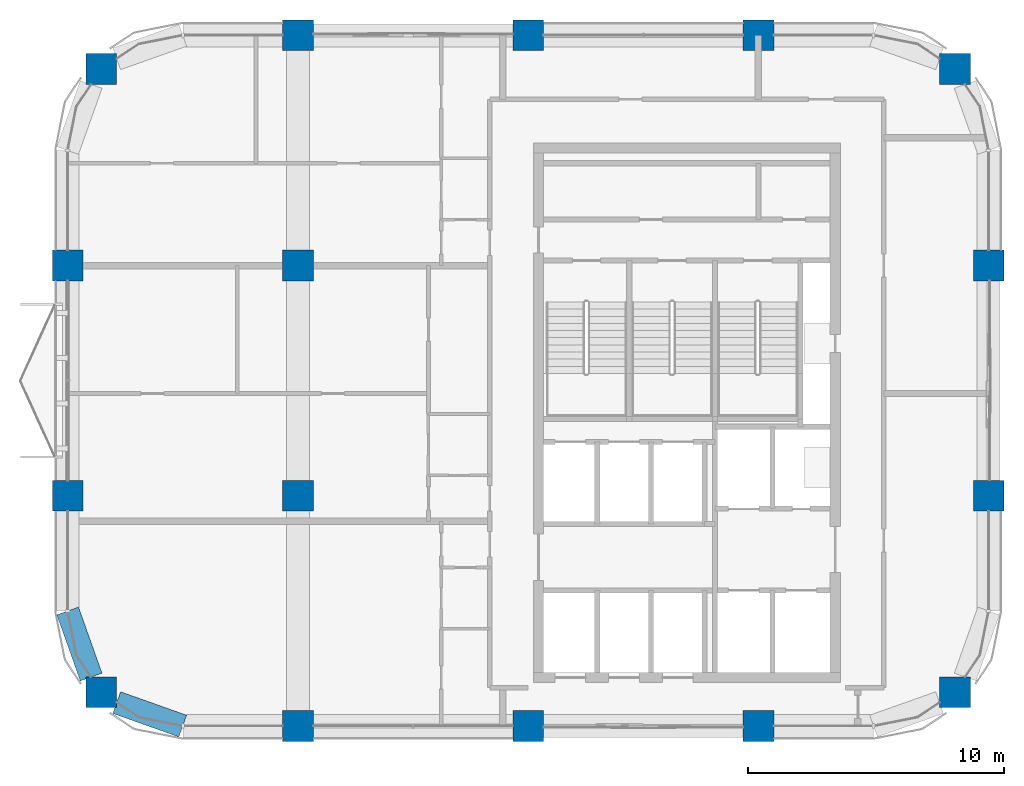
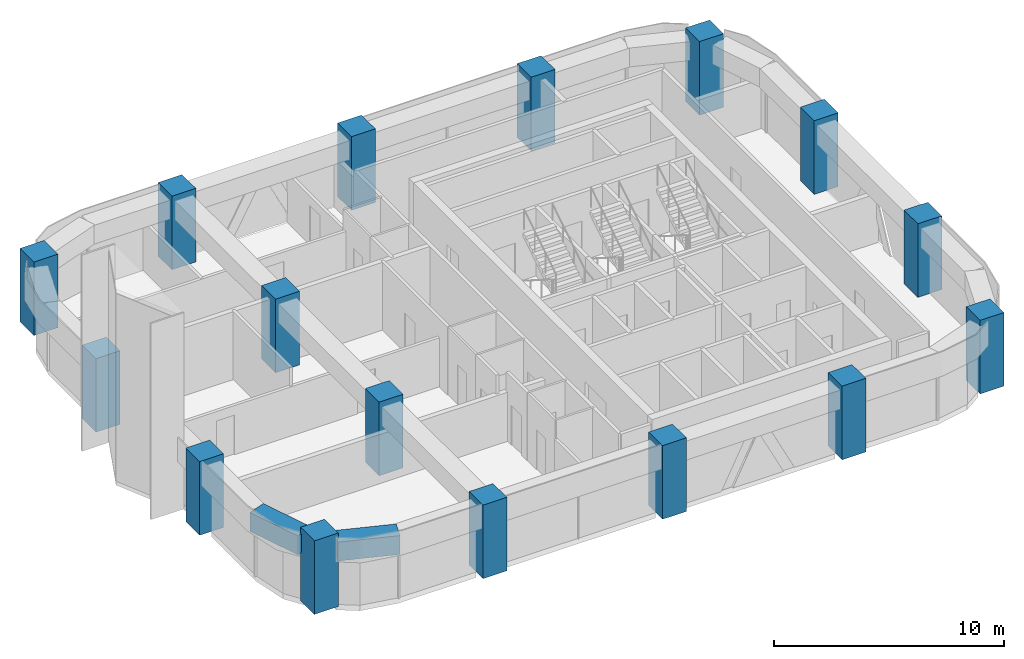
# One storey, part 1 of 10: 16 columns, 2 beams.
"""IFC4 building model written with IfcOpenShell, lengths in metres."""

import ifcopenshell
import ifcopenshell.guid

model = None  # the IFC model being written
_history = None  # IfcOwnerHistory: only IFC2X3 demands one
_inside = {}  # id of a spatial element -> (the spatial element, [elements in it])
_under = {}  # id of a project, library or spatial element -> (it, [spatial elements below it])
_declared = {}  # id of a project -> (the project, [libraries it declares])
_typed = {}  # id of a type object -> (the type object, [elements of that type])
_made_of = {}  # id of a material, layer set ... -> (it, [elements and type objects made of it])


def new_model(schema):
    """Start an empty IFC model of exactly this schema.

    Asked for "IFC4X3", IfcOpenShell would pick the latest addendum, in which some entities
    have other attributes; the version numbers below select the first issue.
    IFC2X3 requires an IfcOwnerHistory on every rooted entity: one is made here for all.
    """
    global model, _history
    if schema == "IFC4X3":
        model = ifcopenshell.file(schema_version=(4, 3, 0, 0))
    else:
        model = ifcopenshell.file(schema=schema)
    _inside.clear()
    _under.clear()
    _declared.clear()
    _typed.clear()
    _made_of.clear()
    _history = None
    if model.schema == "IFC2X3":
        org = make("IfcOrganization", Name="unknown")
        user = make(
            "IfcPersonAndOrganization",
            ThePerson=make("IfcPerson", FamilyName="unknown"),
            TheOrganization=org,
        )
        app = make(
            "IfcApplication",
            ApplicationDeveloper=org,
            Version="unknown",
            ApplicationFullName="unknown",
            ApplicationIdentifier="unknown",
        )
        _history = make(
            "IfcOwnerHistory",
            OwningUser=user,
            OwningApplication=app,
            ChangeAction="ADDED",
            CreationDate=0,
        )
    return model


def make(cls, **values):
    """One entity of the class cls with the attributes given. An attribute that is None is left unset."""
    return model.create_entity(
        cls, **{name: value for name, value in values.items() if value is not None}
    )


def rooted(cls, **values):
    """An entity with a GlobalId (a new one), such as an element, a storey or a relation."""
    return make(cls, GlobalId=ifcopenshell.guid.new(), OwnerHistory=_history, **values)


def si_unit(unit_type, name, prefix=None):
    """IfcSIUnit, for example si_unit("LENGTHUNIT", "METRE", prefix="MILLI")."""
    return make("IfcSIUnit", UnitType=unit_type, Prefix=prefix, Name=name)


def assignment(units):
    """IfcUnitAssignment: the units of a project."""
    return None if units is None else make("IfcUnitAssignment", Units=units)


def point(xyz):
    """IfcCartesianPoint."""
    return None if xyz is None else make("IfcCartesianPoint", Coordinates=xyz)


def direction(xyz):
    """IfcDirection."""
    return None if xyz is None else make("IfcDirection", DirectionRatios=xyz)


def frame(location, z_axis=None, x_axis=None):
    """IfcAxis2Placement3D, a coordinate frame: its origin and axes. An axis left out is left unset."""
    return make(
        "IfcAxis2Placement3D",
        Location=point(location),
        Axis=direction(z_axis),
        RefDirection=direction(x_axis),
    )


def frame_2d(location, x_axis=None):
    """IfcAxis2Placement2D, a coordinate frame in the plane: its origin and x axis."""
    return make(
        "IfcAxis2Placement2D", Location=point(location), RefDirection=direction(x_axis)
    )


def origin():
    """The frame at (0, 0, 0) with its axes left unset."""
    return frame((0.0, 0.0, 0.0))


def origin_2d():
    """The frame at (0, 0) in the plane with its x axis left unset."""
    return frame_2d((0.0, 0.0))


def place(relative_to, where):
    """IfcLocalPlacement: puts the frame where relative to a parent placement (None: the world)."""
    return make(
        "IfcLocalPlacement", PlacementRelTo=relative_to, RelativePlacement=where
    )


def context(
    kind, dimensions, precision=None, world=None, true_north=None, identifier=None
):
    """IfcGeometricRepresentationContext, for example the 3D "Model" context."""
    return make(
        "IfcGeometricRepresentationContext",
        ContextIdentifier=identifier,
        ContextType=kind,
        CoordinateSpaceDimension=dimensions,
        Precision=precision,
        WorldCoordinateSystem=world,
        TrueNorth=true_north,
    )


def subcontext(parent, identifier, kind, view, scale=None):
    """IfcGeometricRepresentationSubContext, for example "Body" below "Model"."""
    return make(
        "IfcGeometricRepresentationSubContext",
        ContextIdentifier=identifier,
        ContextType=kind,
        ParentContext=parent,
        TargetScale=scale,
        TargetView=view,
    )


def project(units=None, contexts=None):
    """IfcProject with its units and contexts."""
    return rooted(
        "IfcProject",
        Name="project",
        RepresentationContexts=contexts,
        UnitsInContext=assignment(units),
    )


def spatial(cls, under=None, at=None, **own):
    """A site, building, storey or space (cls), placed at a placement, below another one or the project."""
    s = rooted(cls, ObjectPlacement=at, **own)
    if under is not None:
        _under.setdefault(under.id(), (under, []))[1].append(s)
    return s


def profile(cls, at=None, kind="AREA", **sizes):
    """A parametric profile (cls). Its sizes go by their IFC names, for example OverallWidth=200.0."""
    return make(cls, ProfileType=kind, Position=at, **sizes)


def rectangle(**sizes):
    """IfcRectangleProfileDef."""
    return profile("IfcRectangleProfileDef", **sizes)


def extrude(swept, where, along, depth):
    """IfcExtrudedAreaSolid: the profile swept, set in the frame where, extruded along a direction by depth."""
    return make(
        "IfcExtrudedAreaSolid",
        SweptArea=swept,
        Position=where,
        ExtrudedDirection=direction(along),
        Depth=depth,
    )


def shape(context_of_items, identifier, shape_type, items):
    """IfcShapeRepresentation: the items that make up one representation, for example the "Body"."""
    return make(
        "IfcShapeRepresentation",
        ContextOfItems=context_of_items,
        RepresentationIdentifier=identifier,
        RepresentationType=shape_type,
        Items=items,
    )


def material(Name=None, Category=None):
    """IfcMaterial."""
    return make("IfcMaterial", Name=Name, Category=Category)


def material_profile(
    of_material, cross_section, Name=None, Category=None, Priority=None
):
    """IfcMaterialProfile: a cross section and its material."""
    return make(
        "IfcMaterialProfile",
        Name=Name,
        Material=of_material,
        Profile=cross_section,
        Priority=Priority,
        Category=Category,
    )


def profile_set(profiles, Name=None, composite=None):
    """IfcMaterialProfileSet."""
    return make(
        "IfcMaterialProfileSet",
        Name=Name,
        MaterialProfiles=profiles,
        CompositeProfile=composite,
    )


def made_of(thing, what):
    """Note that an element or type object is made of a material, layer set ...; save() writes the relation."""
    if what is not None:
        _made_of.setdefault(what.id(), (what, []))[1].append(thing)
    return thing


def type_object(cls, material=None, **own):
    """A type object (cls), such as IfcWallType, which elements share."""
    return made_of(rooted(cls, **own), material)


def element(
    cls,
    number,
    at=None,
    inside=None,
    cuts=None,
    type_object=None,
    material=None,
    context=None,
    identifier="Body",
    shape_type=None,
    held_by="IfcProductDefinitionShape",
    body=None,
    shapes=None,
    **own,
):
    """One element of the class cls, such as IfcWall. Its Tag is "e" and its number.

    at: its placement. inside: the storey or other place that contains it. cuts: it is an
    opening in that element (IfcRelVoidsElement). A single representation is given by context,
    identifier, shape_type and body (its items); several are given by shapes. held_by: the class
    of the entity that holds the representations. save() writes the other relations.
    """
    e = rooted(cls, Tag="e%d" % number, ObjectPlacement=at, **own)
    if body is not None:
        shapes = [shape(context, identifier, shape_type, body)]
    if shapes is not None:
        e.Representation = make(held_by, Representations=shapes)
    if inside is not None:
        _inside.setdefault(inside.id(), (inside, []))[1].append(e)
    if cuts is not None:
        rooted(
            "IfcRelVoidsElement", RelatingBuildingElement=cuts, RelatedOpeningElement=e
        )
    if type_object is not None:
        _typed.setdefault(type_object.id(), (type_object, []))[1].append(e)
    return made_of(e, material)


def aggregate(whole, parts):
    """IfcRelAggregates: a whole, such as a stair, and the parts it consists of."""
    return rooted("IfcRelAggregates", RelatingObject=whole, RelatedObjects=parts)


def save(model, path):
    """Write the relations noted so far, then the file.

    IfcRelAggregates (storeys below a building ...), IfcRelContainedInSpatialStructure (elements
    in a storey), IfcRelDefinesByType, IfcRelAssociatesMaterial and IfcRelDeclares: one each for
    every whole, place, type object, material and project.
    """
    for whole, parts in _under.values():
        aggregate(whole, parts)
    for where, things in _inside.values():
        rooted(
            "IfcRelContainedInSpatialStructure",
            RelatedElements=things,
            RelatingStructure=where,
        )
    for kind, things in _typed.values():
        rooted("IfcRelDefinesByType", RelatedObjects=things, RelatingType=kind)
    for what, things in _made_of.values():
        rooted("IfcRelAssociatesMaterial", RelatedObjects=things, RelatingMaterial=what)
    for by, libraries in _declared.values():
        rooted("IfcRelDeclares", RelatingContext=by, RelatedDefinitions=libraries)
    model.write(path)


model = new_model("IFC4")

# Units and contexts
model_context = context("Model", 3, precision=1e-05, world=origin(), true_north=direction((0.0, 1.0)))
body_context = subcontext(model_context, "Body", "Model", "MODEL_VIEW")
ifc_project = project(units=[si_unit("LENGTHUNIT", "METRE"), si_unit("AREAUNIT", "SQUARE_METRE"), si_unit("VOLUMEUNIT", "CUBIC_METRE"), si_unit("PLANEANGLEUNIT", "RADIAN"), si_unit("MASSUNIT", "GRAM", prefix="KILO")], contexts=[model_context])

# Site, building, storey
site_placement = place(None, origin())
site = spatial("IfcSite", under=ifc_project, at=site_placement, CompositionType="ELEMENT")
building_placement = place(site_placement, origin())
building = spatial("IfcBuilding", under=site, at=building_placement, Name="Tessera Arch", CompositionType="ELEMENT")
storey_placement = place(building_placement, frame((0.0, 0.0, 238.39990234375)))
storey = spatial("IfcBuildingStorey", under=building, at=storey_placement, Name="L57", CompositionType="ELEMENT", Elevation=238.39990234375)

# Columns
ifc_material_1 = material(Name="Concrete C60/75", Category="concrete")
ifc_material_profile_1 = material_profile(ifc_material_1, rectangle(XDim=1.199951171875, YDim=1.199951171875, at=origin_2d()), Name="RC column 1200 x 1200 Concrete C60/75")
ifc_profile_set_1 = profile_set([ifc_material_profile_1], Name="Concrete C60/75")
column_type = type_object("IfcColumnType", Name="RC column 1200 x 1200 Concrete C60/75", PredefinedType="COLUMN", material=ifc_profile_set_1)
for number, where, z_axis, x_axis, name in (
    (1, (19.318115234375, 28.318115234375, 0.0), (0.0, 0.0, 1.0), (1.0, 0.0, 0.0), "Column C3D L57"),
    (2, (18.0, 36.0, 0.0), (0.0, 0.0, 1.0), (1.0, 0.0, 0.0), "Column C3E L57"),
    (3, (18.0, 45.0, 0.0), (0.0, 0.0, 1.0), (1.0, 0.0, 0.0), "Column C3F L57"),
    (4, (19.318115234375, 52.681884765625, 0.0), (0.0, 0.0, 1.0), (1.0, 0.0, 0.0), "Column C3G L57"),
    (5, (27.0, 27.0, 0.0), (0.0, 0.0, 1.0), (1.0, 0.0, 0.0), "Column C4D L57"),
    (6, (27.0, 36.0, 0.0), (0.0, 0.0, 1.0), (1.0, 0.0, 0.0), "Column C4E L57"),
    (7, (27.0, 45.0, 0.0), (0.0, 0.0, 1.0), (1.0, 0.0, 0.0), "Column C4F L57"),
    (8, (27.0, 54.0, 0.0), (0.0, 0.0, 1.0), (1.0, 0.0, 0.0), "Column C4G L57"),
    (9, (36.0, 27.0, 0.0), (0.0, 0.0, 1.0), (1.0, 0.0, 0.0), "Column C5D L57"),
    (10, (36.0, 54.0, 0.0), (0.0, 0.0, 1.0), (1.0, 0.0, 0.0), "Column C5G L57"),
    (11, (45.0, 27.0, 0.0), (0.0, 0.0, 1.0), (1.0, 0.0, 0.0), "Column C6D L57"),
    (12, (45.0, 54.0, 0.0), (0.0, 0.0, 1.0), (1.0, 0.0, 0.0), "Column C6G L57"),
    (13, (52.681884765625, 28.318115234375, 0.0), (0.0, 0.0, 1.0), (1.0, 0.0, 0.0), "Column C7D L57"),
    (14, (54.0, 36.0, 0.0), (0.0, 0.0, 1.0), (1.0, 0.0, 0.0), "Column C7E L57"),
    (15, (54.0, 45.0, 0.0), (0.0, 0.0, 1.0), (1.0, 0.0, 0.0), "Column C7F L57"),
    (16, (52.681884765625, 52.681884765625, 0.0), (0.0, 0.0, 1.0), (1.0, 0.0, 0.0), "Column C7G L57"),
):
    element("IfcColumn", number, at=place(storey_placement, frame(where, z_axis=z_axis, x_axis=x_axis)), inside=storey, type_object=column_type, Name=name, PredefinedType="COLUMN", context=body_context, shape_type="SweptSolid", body=[
        extrude(rectangle(XDim=1.199951171875, YDim=1.199951171875, at=origin_2d()), origin(), (0.0, 0.0, 1.0), 3.900146484375),
    ])

# Beams
ifc_material_2 = material(Name="Concrete C60/75", Category="concrete")
ifc_material_profile_2 = material_profile(ifc_material_2, rectangle(XDim=0.89990234375, YDim=1.0, at=origin_2d()), Name="RC spandrel beam 900 x 1000 Concrete C60/75")
ifc_profile_set_2 = profile_set([ifc_material_profile_2], Name="Concrete C60/75")
beam_type = type_object("IfcBeamType", Name="RC spandrel beam 900 x 1000 Concrete C60/75", PredefinedType="BEAM", material=ifc_profile_set_2)
for number, where, z_axis, x_axis, name in (
    (17, (18.0, 31.5, 3.10009765625), (0.334665114373, -0.942337127159, 0.0), (0.942337127159, 0.334665114373, 0.0), "Spandrel beam L57 W18.27/2.2"),
    (18, (19.91796875, 27.9169921875, 3.10009765625), (0.942337127159, -0.334665114373, 0.0), (0.334665114373, 0.942337127159, 0.0), "Spandrel beam L57 S27.18/0.1"),
):
    element("IfcBeam", number, at=place(storey_placement, frame(where, z_axis=z_axis, x_axis=x_axis)), inside=storey, type_object=beam_type, Name=name, PredefinedType="BEAM", context=body_context, shape_type="SweptSolid", body=[
        extrude(rectangle(XDim=0.89990234375, YDim=1.0, at=origin_2d()), origin(), (0.0, 0.0, 1.0), 2.739990234375),
    ])

save(model, "model.ifc")
